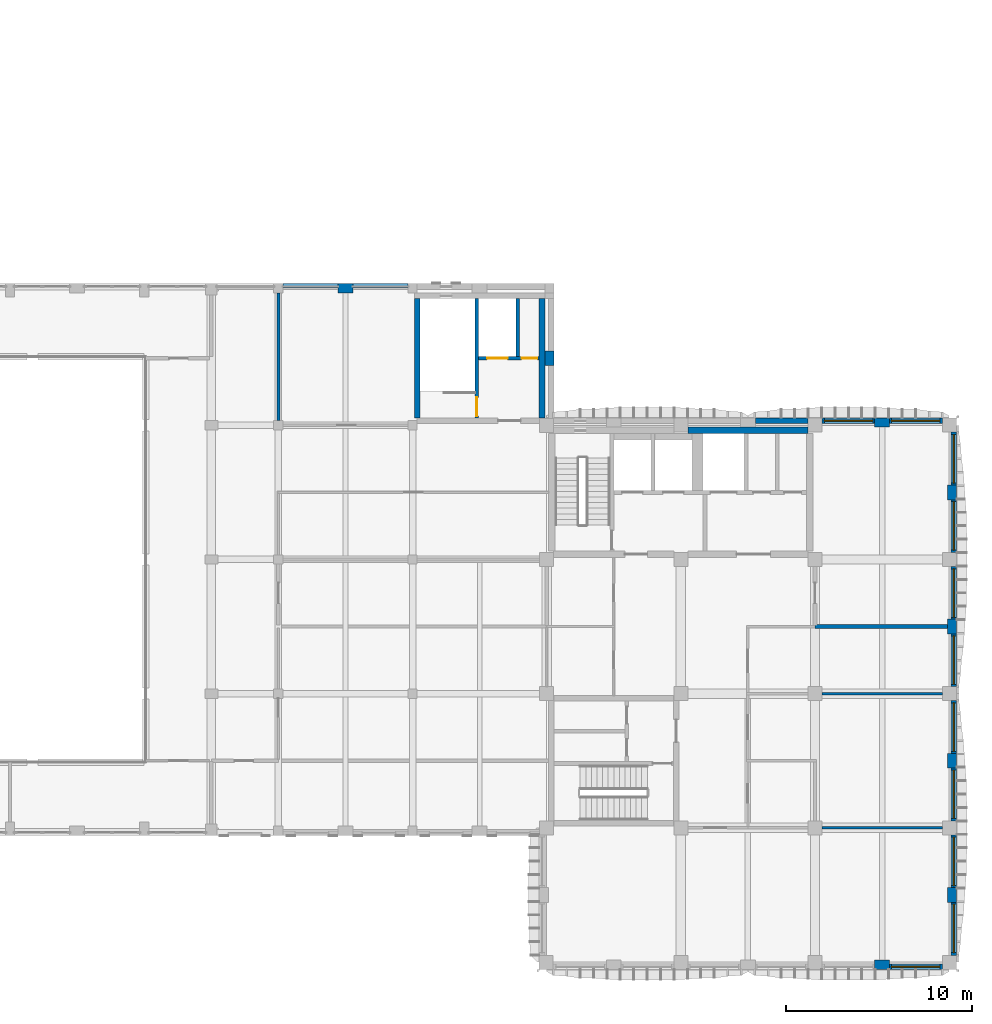
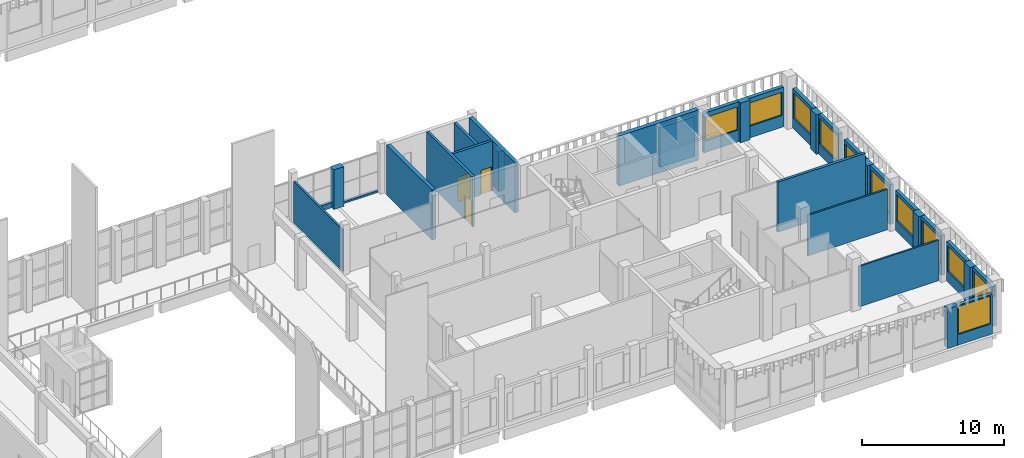
# One storey, part 22 of 54: 32 walls, 11 windows, 3 doors, 14 openings.
"""IFC4 building model written with IfcOpenShell, lengths in metres."""

from ifc_helpers import new_model, si_unit, direction, frame, frame_2d, origin, place, context, subcontext, project, spatial, rectangle, extrude, material, layer, layer_set, type_object, element, fill, save


model = new_model("IFC4")

# Units and contexts
model_context = context("Model", 3, precision=1e-05, world=origin(), true_north=direction((0.0, 1.0)))
body_context = subcontext(model_context, "Body", "Model", "MODEL_VIEW")
ifc_project = project(units=[si_unit("LENGTHUNIT", "METRE"), si_unit("AREAUNIT", "SQUARE_METRE"), si_unit("VOLUMEUNIT", "CUBIC_METRE"), si_unit("PLANEANGLEUNIT", "RADIAN"), si_unit("MASSUNIT", "GRAM", prefix="KILO")], contexts=[model_context])

# Site, building, storey
site_placement = place(None, origin())
site = spatial("IfcSite", under=ifc_project, at=site_placement, CompositionType="ELEMENT")
building_placement = place(site_placement, origin())
building = spatial("IfcBuilding", under=site, at=building_placement, Name="Ussher Court Research Institute", CompositionType="ELEMENT")
storey_placement = place(building_placement, frame((0.0, 0.0, 14.39990234375)))
storey = spatial("IfcBuildingStorey", under=building, at=storey_placement, Name="L03", CompositionType="ELEMENT", Elevation=14.39990234375)

# Wall, opening, window
ifc_material_1 = material(Name="Blockwork with cream render", Category="masonry")
ifc_layer_1 = layer(ifc_material_1, 0.300048828125)
ifc_layer_set_1 = layer_set([ifc_layer_1], Name="Blockwork with cream render")
wall_type_1 = type_object("IfcWallType", Name="External wall 300 cream render", PredefinedType="SOLIDWALL", material=ifc_layer_set_1)
wall_1_placement = place(storey_placement, frame((96.97509765625, 33.050048828125, 0.0), z_axis=(0.0, 0.0, 1.0), x_axis=(1.0, 0.0, 0.0)))
wall_1 = element("IfcWall", 1, at=wall_1_placement, inside=storey, type_object=wall_type_1, Name="External wall EW1 L03", PredefinedType="SOLIDWALL", context=body_context, shape_type="SweptSolid", body=[
    extrude(rectangle(XDim=2.824951171875, YDim=0.300048828125, at=frame_2d((1.41259765625, 0.0))), origin(), (0.0, 0.0, 1.0), 3.400146484375),
])
opening_1_placement = place(wall_1_placement, frame((0.125, 0.0, 1.0)))
opening_1 = element("IfcOpeningElement", 2, at=opening_1_placement, cuts=wall_1, Name="Opening W15", PredefinedType="OPENING", context=body_context, shape_type="SweptSolid", body=[
    extrude(rectangle(XDim=2.60009765625, YDim=2.0, at=frame_2d((1.300048828125, 1.0))), frame((0.0, 0.16015625, 0.0), z_axis=(0.0, -1.0, 0.0), x_axis=(1.0, 0.0, 0.0)), (0.0, 0.0, 1.0), 0.320068359375),
])
ifc_material_2 = material(Name="Bronze anodised aluminium with double glazing", Category="aluminium")
window_type_1 = type_object("IfcWindowType", Name="Service side laboratory window 2600x2000", PartitioningType="DOUBLE_PANEL_VERTICAL", PredefinedType="WINDOW", material=ifc_material_2)
window_1_placement = place(opening_1_placement, origin())
window_1 = element("IfcWindow", 3, at=window_1_placement, inside=storey, type_object=window_type_1, Name="Window W15 L03", OverallHeight=2.0, OverallWidth=2.60009765625, PartitioningType="SINGLE_PANEL", PredefinedType="WINDOW", context=body_context, shape_type="SweptSolid", body=[
    extrude(rectangle(XDim=2.60009765625, YDim=2.0, at=frame_2d((1.300048828125, 1.0))), frame((0.0, 0.030029296875, 0.0), z_axis=(0.0, -1.0, 0.0), x_axis=(1.0, 0.0, 0.0)), (0.0, 0.0, 1.0), 0.06005859375),
])
fill(opening_1, window_1)

wall_2_placement = place(storey_placement, frame((100.60009765625, 33.050048828125, 0.0), z_axis=(0.0, 0.0, 1.0), x_axis=(1.0, 0.0, 0.0)))
wall_2 = element("IfcWall", 4, at=wall_2_placement, inside=storey, type_object=wall_type_1, Name="External wall EW1 L03", PredefinedType="SOLIDWALL", context=body_context, shape_type="SweptSolid", body=[
    extrude(rectangle(XDim=2.849853515625, YDim=0.300048828125, at=frame_2d((1.4248046875, 0.0))), origin(), (0.0, 0.0, 1.0), 3.400146484375),
])
opening_2_placement = place(wall_2_placement, frame((0.10009765625, 0.0, 1.0)))
opening_2 = element("IfcOpeningElement", 5, at=opening_2_placement, cuts=wall_2, Name="Opening W15", PredefinedType="OPENING", context=body_context, shape_type="SweptSolid", body=[
    extrude(rectangle(XDim=2.60009765625, YDim=2.0, at=frame_2d((1.300048828125, 1.0))), frame((0.0, 0.16015625, 0.0), z_axis=(0.0, -1.0, 0.0), x_axis=(1.0, 0.0, 0.0)), (0.0, 0.0, 1.0), 0.320068359375),
])
window_2_placement = place(opening_2_placement, origin())
window_2 = element("IfcWindow", 6, at=window_2_placement, inside=storey, type_object=window_type_1, Name="Window W15 L03", OverallHeight=2.0, OverallWidth=2.60009765625, PartitioningType="SINGLE_PANEL", PredefinedType="WINDOW", context=body_context, shape_type="SweptSolid", body=[
    extrude(rectangle(XDim=2.60009765625, YDim=2.0, at=frame_2d((1.300048828125, 1.0))), frame((0.0, 0.030029296875, 0.0), z_axis=(0.0, -1.0, 0.0), x_axis=(1.0, 0.0, 0.0)), (0.0, 0.0, 1.0), 0.06005859375),
])
fill(opening_2, window_2)

wall_3_placement = place(storey_placement, frame((104.050048828125, 32.449951171875, 0.0), z_axis=(0.0, 0.0, 1.0), x_axis=(0.0, -1.0, 0.0)))
wall_3 = element("IfcWall", 7, at=wall_3_placement, inside=storey, type_object=wall_type_1, Name="External wall EW1 L03", PredefinedType="SOLIDWALL", context=body_context, shape_type="SweptSolid", body=[
    extrude(rectangle(XDim=2.849853515625, YDim=0.300048828125, at=frame_2d((1.4248046875, 0.0))), origin(), (0.0, 0.0, 1.0), 3.400146484375),
])
opening_3_placement = place(wall_3_placement, frame((0.14990234375, 0.0, 0.89990234375)))
opening_3 = element("IfcOpeningElement", 8, at=opening_3_placement, cuts=wall_3, Name="Opening W13", PredefinedType="OPENING", context=body_context, shape_type="SweptSolid", body=[
    extrude(rectangle(XDim=2.60009765625, YDim=2.199951171875, at=frame_2d((1.300048828125, 1.10009765625))), frame((0.0, 0.16015625, 0.0), z_axis=(0.0, -1.0, 0.0), x_axis=(1.0, 0.0, 0.0)), (0.0, 0.0, 1.0), 0.320068359375),
])
ifc_material_3 = material(Name="Bronze anodised aluminium with double glazing", Category="aluminium")
window_type_2 = type_object("IfcWindowType", Name="East laboratory window 2600x2200", PartitioningType="DOUBLE_PANEL_VERTICAL", PredefinedType="WINDOW", material=ifc_material_3)
window_3_placement = place(opening_3_placement, origin())
window_3 = element("IfcWindow", 9, at=window_3_placement, inside=storey, type_object=window_type_2, Name="Window W13 L03", OverallHeight=2.199951171875, OverallWidth=2.60009765625, PartitioningType="SINGLE_PANEL", PredefinedType="WINDOW", context=body_context, shape_type="SweptSolid", body=[
    extrude(rectangle(XDim=2.60009765625, YDim=2.199951171875, at=frame_2d((1.300048828125, 1.10009765625))), frame((0.0, 0.030029296875, 0.0), z_axis=(0.0, -1.0, 0.0), x_axis=(1.0, 0.0, 0.0)), (0.0, 0.0, 1.0), 0.06005859375),
])
fill(opening_3, window_3)

wall_4_placement = place(storey_placement, frame((104.050048828125, 28.800048828125, 0.0), z_axis=(0.0, 0.0, 1.0), x_axis=(0.0, -1.0, 0.0)))
wall_4 = element("IfcWall", 10, at=wall_4_placement, inside=storey, type_object=wall_type_1, Name="External wall EW1 L03", PredefinedType="SOLIDWALL", context=body_context, shape_type="SweptSolid", body=[
    extrude(rectangle(XDim=2.824951171875, YDim=0.300048828125, at=frame_2d((1.41259765625, 0.0))), origin(), (0.0, 0.0, 1.0), 3.400146484375),
])
opening_4_placement = place(wall_4_placement, frame((0.10009765625, 0.0, 0.89990234375)))
opening_4 = element("IfcOpeningElement", 11, at=opening_4_placement, cuts=wall_4, Name="Opening W13", PredefinedType="OPENING", context=body_context, shape_type="SweptSolid", body=[
    extrude(rectangle(XDim=2.60009765625, YDim=2.199951171875, at=frame_2d((1.300048828125, 1.10009765625))), frame((0.0, 0.16015625, 0.0), z_axis=(0.0, -1.0, 0.0), x_axis=(1.0, 0.0, 0.0)), (0.0, 0.0, 1.0), 0.320068359375),
])
window_4_placement = place(opening_4_placement, origin())
window_4 = element("IfcWindow", 12, at=window_4_placement, inside=storey, type_object=window_type_2, Name="Window W13 L03", OverallHeight=2.199951171875, OverallWidth=2.60009765625, PartitioningType="SINGLE_PANEL", PredefinedType="WINDOW", context=body_context, shape_type="SweptSolid", body=[
    extrude(rectangle(XDim=2.60009765625, YDim=2.199951171875, at=frame_2d((1.300048828125, 1.10009765625))), frame((0.0, 0.030029296875, 0.0), z_axis=(0.0, -1.0, 0.0), x_axis=(1.0, 0.0, 0.0)), (0.0, 0.0, 1.0), 0.06005859375),
])
fill(opening_4, window_4)

wall_5_placement = place(storey_placement, frame((104.050048828125, 25.22509765625, 0.0), z_axis=(0.0, 0.0, 1.0), x_axis=(0.0, -1.0, 0.0)))
wall_5 = element("IfcWall", 13, at=wall_5_placement, inside=storey, type_object=wall_type_1, Name="External wall EW1 L03", PredefinedType="SOLIDWALL", context=body_context, shape_type="SweptSolid", body=[
    extrude(rectangle(XDim=2.8251953125, YDim=0.300048828125, at=frame_2d((1.41259765625, 0.0))), origin(), (0.0, 0.0, 1.0), 3.400146484375),
])
opening_5_placement = place(wall_5_placement, frame((0.125, 0.0, 0.89990234375)))
opening_5 = element("IfcOpeningElement", 14, at=opening_5_placement, cuts=wall_5, Name="Opening W13", PredefinedType="OPENING", context=body_context, shape_type="SweptSolid", body=[
    extrude(rectangle(XDim=2.60009765625, YDim=2.199951171875, at=frame_2d((1.300048828125, 1.10009765625))), frame((0.0, 0.16015625, 0.0), z_axis=(0.0, -1.0, 0.0), x_axis=(1.0, 0.0, 0.0)), (0.0, 0.0, 1.0), 0.320068359375),
])
window_5_placement = place(opening_5_placement, origin())
window_5 = element("IfcWindow", 15, at=window_5_placement, inside=storey, type_object=window_type_2, Name="Window W13 L03", OverallHeight=2.199951171875, OverallWidth=2.60009765625, PartitioningType="SINGLE_PANEL", PredefinedType="WINDOW", context=body_context, shape_type="SweptSolid", body=[
    extrude(rectangle(XDim=2.60009765625, YDim=2.199951171875, at=frame_2d((1.300048828125, 1.10009765625))), frame((0.0, 0.030029296875, 0.0), z_axis=(0.0, -1.0, 0.0), x_axis=(1.0, 0.0, 0.0)), (0.0, 0.0, 1.0), 0.06005859375),
])
fill(opening_5, window_5)

wall_6_placement = place(storey_placement, frame((104.050048828125, 21.60009765625, 0.0), z_axis=(0.0, 0.0, 1.0), x_axis=(0.0, -1.0, 0.0)))
wall_6 = element("IfcWall", 16, at=wall_6_placement, inside=storey, type_object=wall_type_1, Name="External wall EW1 L03", PredefinedType="SOLIDWALL", context=body_context, shape_type="SweptSolid", body=[
    extrude(rectangle(XDim=2.8251953125, YDim=0.300048828125, at=frame_2d((1.41259765625, 0.0))), origin(), (0.0, 0.0, 1.0), 3.400146484375),
])
opening_6_placement = place(wall_6_placement, frame((0.10009765625, 0.0, 0.89990234375)))
opening_6 = element("IfcOpeningElement", 17, at=opening_6_placement, cuts=wall_6, Name="Opening W13", PredefinedType="OPENING", context=body_context, shape_type="SweptSolid", body=[
    extrude(rectangle(XDim=2.60009765625, YDim=2.199951171875, at=frame_2d((1.300048828125, 1.10009765625))), frame((0.0, 0.16015625, 0.0), z_axis=(0.0, -1.0, 0.0), x_axis=(1.0, 0.0, 0.0)), (0.0, 0.0, 1.0), 0.320068359375),
])
window_6_placement = place(opening_6_placement, origin())
window_6 = element("IfcWindow", 18, at=window_6_placement, inside=storey, type_object=window_type_2, Name="Window W13 L03", OverallHeight=2.199951171875, OverallWidth=2.60009765625, PartitioningType="SINGLE_PANEL", PredefinedType="WINDOW", context=body_context, shape_type="SweptSolid", body=[
    extrude(rectangle(XDim=2.60009765625, YDim=2.199951171875, at=frame_2d((1.300048828125, 1.10009765625))), frame((0.0, 0.030029296875, 0.0), z_axis=(0.0, -1.0, 0.0), x_axis=(1.0, 0.0, 0.0)), (0.0, 0.0, 1.0), 0.06005859375),
])
fill(opening_6, window_6)

wall_7_placement = place(storey_placement, frame((104.050048828125, 18.02490234375, 0.0), z_axis=(0.0, 0.0, 1.0), x_axis=(0.0, -1.0, 0.0)))
wall_7 = element("IfcWall", 19, at=wall_7_placement, inside=storey, type_object=wall_type_1, Name="External wall EW1 L03", PredefinedType="SOLIDWALL", context=body_context, shape_type="SweptSolid", body=[
    extrude(rectangle(XDim=2.824951171875, YDim=0.300048828125, at=frame_2d((1.41259765625, 0.0))), origin(), (0.0, 0.0, 1.0), 3.400146484375),
])
opening_7_placement = place(wall_7_placement, frame((0.125, 0.0, 0.89990234375)))
opening_7 = element("IfcOpeningElement", 20, at=opening_7_placement, cuts=wall_7, Name="Opening W13", PredefinedType="OPENING", context=body_context, shape_type="SweptSolid", body=[
    extrude(rectangle(XDim=2.60009765625, YDim=2.199951171875, at=frame_2d((1.300048828125, 1.10009765625))), frame((0.0, 0.16015625, 0.0), z_axis=(0.0, -1.0, 0.0), x_axis=(1.0, 0.0, 0.0)), (0.0, 0.0, 1.0), 0.320068359375),
])
window_7_placement = place(opening_7_placement, origin())
window_7 = element("IfcWindow", 21, at=window_7_placement, inside=storey, type_object=window_type_2, Name="Window W13 L03", OverallHeight=2.199951171875, OverallWidth=2.60009765625, PartitioningType="SINGLE_PANEL", PredefinedType="WINDOW", context=body_context, shape_type="SweptSolid", body=[
    extrude(rectangle(XDim=2.60009765625, YDim=2.199951171875, at=frame_2d((1.300048828125, 1.10009765625))), frame((0.0, 0.030029296875, 0.0), z_axis=(0.0, -1.0, 0.0), x_axis=(1.0, 0.0, 0.0)), (0.0, 0.0, 1.0), 0.06005859375),
])
fill(opening_7, window_7)

wall_8_placement = place(storey_placement, frame((104.050048828125, 14.39990234375, 0.0), z_axis=(0.0, 0.0, 1.0), x_axis=(0.0, -1.0, 0.0)))
wall_8 = element("IfcWall", 22, at=wall_8_placement, inside=storey, type_object=wall_type_1, Name="External wall EW1 L03", PredefinedType="SOLIDWALL", context=body_context, shape_type="SweptSolid", body=[
    extrude(rectangle(XDim=2.824951171875, YDim=0.300048828125, at=frame_2d((1.41259765625, 0.0))), origin(), (0.0, 0.0, 1.0), 3.400146484375),
])
opening_8_placement = place(wall_8_placement, frame((0.10009765625, 0.0, 0.89990234375)))
opening_8 = element("IfcOpeningElement", 23, at=opening_8_placement, cuts=wall_8, Name="Opening W13", PredefinedType="OPENING", context=body_context, shape_type="SweptSolid", body=[
    extrude(rectangle(XDim=2.60009765625, YDim=2.199951171875, at=frame_2d((1.300048828125, 1.10009765625))), frame((0.0, 0.16015625, 0.0), z_axis=(0.0, -1.0, 0.0), x_axis=(1.0, 0.0, 0.0)), (0.0, 0.0, 1.0), 0.320068359375),
])
window_8_placement = place(opening_8_placement, origin())
window_8 = element("IfcWindow", 24, at=window_8_placement, inside=storey, type_object=window_type_2, Name="Window W13 L03", OverallHeight=2.199951171875, OverallWidth=2.60009765625, PartitioningType="SINGLE_PANEL", PredefinedType="WINDOW", context=body_context, shape_type="SweptSolid", body=[
    extrude(rectangle(XDim=2.60009765625, YDim=2.199951171875, at=frame_2d((1.300048828125, 1.10009765625))), frame((0.0, 0.030029296875, 0.0), z_axis=(0.0, -1.0, 0.0), x_axis=(1.0, 0.0, 0.0)), (0.0, 0.0, 1.0), 0.06005859375),
])
fill(opening_8, window_8)

wall_9_placement = place(storey_placement, frame((104.050048828125, 10.824951171875, 0.0), z_axis=(0.0, 0.0, 1.0), x_axis=(0.0, -1.0, 0.0)))
wall_9 = element("IfcWall", 25, at=wall_9_placement, inside=storey, type_object=wall_type_1, Name="External wall EW1 L03", PredefinedType="SOLIDWALL", context=body_context, shape_type="SweptSolid", body=[
    extrude(rectangle(XDim=2.824951171875, YDim=0.300048828125, at=frame_2d((1.41259765625, 0.0))), origin(), (0.0, 0.0, 1.0), 3.400146484375),
])
opening_9_placement = place(wall_9_placement, frame((0.125, 0.0, 0.89990234375)))
opening_9 = element("IfcOpeningElement", 26, at=opening_9_placement, cuts=wall_9, Name="Opening W13", PredefinedType="OPENING", context=body_context, shape_type="SweptSolid", body=[
    extrude(rectangle(XDim=2.60009765625, YDim=2.199951171875, at=frame_2d((1.300048828125, 1.10009765625))), frame((0.0, 0.16015625, 0.0), z_axis=(0.0, -1.0, 0.0), x_axis=(1.0, 0.0, 0.0)), (0.0, 0.0, 1.0), 0.320068359375),
])
window_9_placement = place(opening_9_placement, origin())
window_9 = element("IfcWindow", 27, at=window_9_placement, inside=storey, type_object=window_type_2, Name="Window W13 L03", OverallHeight=2.199951171875, OverallWidth=2.60009765625, PartitioningType="SINGLE_PANEL", PredefinedType="WINDOW", context=body_context, shape_type="SweptSolid", body=[
    extrude(rectangle(XDim=2.60009765625, YDim=2.199951171875, at=frame_2d((1.300048828125, 1.10009765625))), frame((0.0, 0.030029296875, 0.0), z_axis=(0.0, -1.0, 0.0), x_axis=(1.0, 0.0, 0.0)), (0.0, 0.0, 1.0), 0.06005859375),
])
fill(opening_9, window_9)

wall_10_placement = place(storey_placement, frame((104.050048828125, 7.199951171875, 0.0), z_axis=(0.0, 0.0, 1.0), x_axis=(0.0, -1.0, 0.0)))
wall_10 = element("IfcWall", 28, at=wall_10_placement, inside=storey, type_object=wall_type_1, Name="External wall EW1 L03", PredefinedType="SOLIDWALL", context=body_context, shape_type="SweptSolid", body=[
    extrude(rectangle(XDim=2.849853515625, YDim=0.300048828125, at=frame_2d((1.4248046875, 0.0))), origin(), (0.0, 0.0, 1.0), 3.400146484375),
])
opening_10_placement = place(wall_10_placement, frame((0.10009765625, 0.0, 0.89990234375)))
opening_10 = element("IfcOpeningElement", 29, at=opening_10_placement, cuts=wall_10, Name="Opening W13", PredefinedType="OPENING", context=body_context, shape_type="SweptSolid", body=[
    extrude(rectangle(XDim=2.60009765625, YDim=2.199951171875, at=frame_2d((1.300048828125, 1.10009765625))), frame((0.0, 0.16015625, 0.0), z_axis=(0.0, -1.0, 0.0), x_axis=(1.0, 0.0, 0.0)), (0.0, 0.0, 1.0), 0.320068359375),
])
window_10_placement = place(opening_10_placement, origin())
window_10 = element("IfcWindow", 30, at=window_10_placement, inside=storey, type_object=window_type_2, Name="Window W13 L03", OverallHeight=2.199951171875, OverallWidth=2.60009765625, PartitioningType="SINGLE_PANEL", PredefinedType="WINDOW", context=body_context, shape_type="SweptSolid", body=[
    extrude(rectangle(XDim=2.60009765625, YDim=2.199951171875, at=frame_2d((1.300048828125, 1.10009765625))), frame((0.0, 0.030029296875, 0.0), z_axis=(0.0, -1.0, 0.0), x_axis=(1.0, 0.0, 0.0)), (0.0, 0.0, 1.0), 0.06005859375),
])
fill(opening_10, window_10)

wall_11_placement = place(storey_placement, frame((103.449951171875, 3.75, 0.0), z_axis=(0.0, 0.0, 1.0), x_axis=(-1.0, 0.0, 0.0)))
wall_11 = element("IfcWall", 31, at=wall_11_placement, inside=storey, type_object=wall_type_1, Name="External wall EW1 L03", PredefinedType="SOLIDWALL", context=body_context, shape_type="SweptSolid", body=[
    extrude(rectangle(XDim=2.849853515625, YDim=0.300048828125, at=frame_2d((1.4248046875, 0.0))), origin(), (0.0, 0.0, 1.0), 3.400146484375),
])
opening_11_placement = place(wall_11_placement, frame((0.14990234375, 0.0, 0.89990234375)))
opening_11 = element("IfcOpeningElement", 32, at=opening_11_placement, cuts=wall_11, Name="Opening W01", PredefinedType="OPENING", context=body_context, shape_type="SweptSolid", body=[
    extrude(rectangle(XDim=2.60009765625, YDim=2.39990234375, at=frame_2d((1.300048828125, 1.199951171875))), frame((0.0, 0.16015625, 0.0), z_axis=(0.0, -1.0, 0.0), x_axis=(1.0, 0.0, 0.0)), (0.0, 0.0, 1.0), 0.320068359375),
])
ifc_material_4 = material(Name="Bronze anodised aluminium with double glazing", Category="aluminium")
window_type_3 = type_object("IfcWindowType", Name="Laboratory bay window 2600x2400", PartitioningType="DOUBLE_PANEL_VERTICAL", PredefinedType="WINDOW", material=ifc_material_4)
window_11_placement = place(opening_11_placement, origin())
window_11 = element("IfcWindow", 33, at=window_11_placement, inside=storey, type_object=window_type_3, Name="Window W01 L03", OverallHeight=2.39990234375, OverallWidth=2.60009765625, PartitioningType="SINGLE_PANEL", PredefinedType="WINDOW", context=body_context, shape_type="SweptSolid", body=[
    extrude(rectangle(XDim=2.60009765625, YDim=2.39990234375, at=frame_2d((1.300048828125, 1.199951171875))), frame((0.0, 0.030029296875, 0.0), z_axis=(0.0, -1.0, 0.0), x_axis=(1.0, 0.0, 0.0)), (0.0, 0.0, 1.0), 0.06005859375),
])
fill(opening_11, window_11)

# Walls
ifc_material_5 = material(Name="Limestone facing on blockwork", Category="masonry")
ifc_layer_2 = layer(ifc_material_5, 0.300048828125)
ifc_layer_set_2 = layer_set([ifc_layer_2], Name="Limestone facing on blockwork")
wall_type_2 = type_object("IfcWallType", Name="External wall 300 stair enclosure", PredefinedType="SOLIDWALL", material=ifc_layer_set_2)
wall_12_placement = place(storey_placement, frame((93.39990234375, 33.050048828125, 0.0), z_axis=(0.0, 0.0, 1.0), x_axis=(1.0, 0.0, 0.0)))
element("IfcWall", 34, at=wall_12_placement, inside=storey, type_object=wall_type_2, Name="External wall EW5 L03", PredefinedType="SOLIDWALL", context=body_context, shape_type="SweptSolid", body=[
    extrude(rectangle(XDim=2.8251953125, YDim=0.300048828125, at=frame_2d((1.41259765625, 0.0))), origin(), (0.0, 0.0, 1.0), 3.400146484375),
])
ifc_material_6 = material(Name="Plastered blockwork", Category="masonry")
ifc_layer_3 = layer(ifc_material_6, 0.14990234375)
ifc_layer_set_3 = layer_set([ifc_layer_3], Name="Plastered blockwork")
wall_type_3 = type_object("IfcWallType", Name="Fire partition blockwork 150 EI 60", PredefinedType="PARTITIONING", material=ifc_layer_set_3)
wall_13_placement = place(storey_placement, frame((67.800048828125, 33.050048828125, 0.0), z_axis=(0.0, 0.0, 1.0), x_axis=(0.0, 1.0, 0.0)))
element("IfcWall", 35, at=wall_13_placement, inside=storey, type_object=wall_type_3, Name="Fire partition", PredefinedType="PARTITIONING", context=body_context, shape_type="SweptSolid", body=[
    extrude(rectangle(XDim=6.849853515625, YDim=0.14990234375, at=frame_2d((3.4248046875, 0.0))), origin(), (0.0, 0.0, 1.0), 3.570068359375),
])
ifc_material_7 = material(Name="Dense concrete blockwork", Category="masonry")
ifc_layer_4 = layer(ifc_material_7, 0.219970703125)
ifc_layer_set_4 = layer_set([ifc_layer_4], Name="Dense concrete blockwork")
wall_type_4 = type_object("IfcWallType", Name="Hazardous store dense block 220 EI 60", PredefinedType="PARTITIONING", material=ifc_layer_set_4)
wall_14_placement = place(storey_placement, frame((96.60009765625, 22.0, 0.0), z_axis=(0.0, 0.0, 1.0), x_axis=(1.0, 0.0, 0.0)))
element("IfcWall", 36, at=wall_14_placement, inside=storey, type_object=wall_type_4, Name="Fire partition", PredefinedType="PARTITIONING", context=body_context, shape_type="SweptSolid", body=[
    extrude(rectangle(XDim=7.099853515625, YDim=0.219970703125, at=frame_2d((3.5498046875, 0.0))), origin(), (0.0, 0.0, 1.0), 4.300048828125),
])
ifc_material_8 = material(Name="Plastered blockwork", Category="masonry")
ifc_layer_5 = layer(ifc_material_8, 0.139892578125)
ifc_layer_set_5 = layer_set([ifc_layer_5], Name="Plastered blockwork")
wall_type_5 = type_object("IfcWallType", Name="Laboratory blockwork partition 140", PredefinedType="PARTITIONING", material=ifc_layer_set_5)
for number, where, z_axis, x_axis, name in (
    (37, (96.97509765625, 11.199951171875, 0.0), (0.0, 0.0, 1.0), (1.0, 0.0, 0.0), "Partition"),
    (38, (96.97509765625, 18.39990234375, 0.0), (0.0, 0.0, 1.0), (1.0, 0.0, 0.0), "Partition"),
):
    element("IfcWall", number, at=place(storey_placement, frame(where, z_axis=z_axis, x_axis=x_axis)), inside=storey, type_object=wall_type_5, Name=name, PredefinedType="PARTITIONING", context=body_context, shape_type="SweptSolid", body=[
        extrude(rectangle(XDim=6.474853515625, YDim=0.139892578125, at=frame_2d((3.2373046875, 0.0))), origin(), (0.0, 0.0, 1.0), 3.47021484375),
    ])
ifc_material_9 = material(Name="Limestone facing on insulated blockwork", Category="masonry")
ifc_layer_6 = layer(ifc_material_9, 0.219970703125)
ifc_layer_set_6 = layer_set([ifc_layer_6], Name="Limestone facing on insulated blockwork")
wall_type_6 = type_object("IfcWallType", Name="Link wall 220 limestone faced insulated block", PredefinedType="SOLIDWALL", material=ifc_layer_set_6)
wall_15_placement = place(storey_placement, frame((68.050048828125, 40.2900390625, 0.0), z_axis=(0.0, 0.0, 1.0), x_axis=(1.0, 0.0, 0.0)))
element("IfcWall", 39, at=wall_15_placement, inside=storey, type_object=wall_type_6, Name="Plinth wall EW6 L03", PredefinedType="SOLIDWALL", context=body_context, shape_type="SweptSolid", body=[
    extrude(rectangle(XDim=2.949951171875, YDim=0.219970703125, at=frame_2d((1.47509765625, 0.0))), origin(), (0.0, 0.0, 1.0), 0.4501953125),
])
wall_16_placement = place(storey_placement, frame((71.800048828125, 40.2900390625, 0.0), z_axis=(0.0, 0.0, 1.0), x_axis=(1.0, 0.0, 0.0)))
element("IfcWall", 40, at=wall_16_placement, inside=storey, type_object=wall_type_6, Name="Plinth wall EW6 L03", PredefinedType="SOLIDWALL", context=body_context, shape_type="SweptSolid", body=[
    extrude(rectangle(XDim=2.949951171875, YDim=0.219970703125, at=frame_2d((1.47509765625, 0.0))), origin(), (0.0, 0.0, 1.0), 0.150146484375),
])
ifc_material_10 = material(Name="Blockwork with cream render", Category="masonry")
ifc_layer_7 = layer(ifc_material_10, 0.5)
ifc_layer_set_7 = layer_set([ifc_layer_7], Name="Blockwork with cream render")
wall_type_7 = type_object("IfcWallType", Name="Pier 800x500 cream render", PredefinedType="SOLIDWALL", material=ifc_layer_set_7)
for number, where, z_axis, x_axis, name in (
    (41, (99.800048828125, 32.949951171875, 0.0), (0.0, 0.0, 1.0), (1.0, 0.0, 0.0), "Pier PR1 L03"),
    (42, (103.949951171875, 29.60009765625, 0.0), (0.0, 0.0, 1.0), (0.0, -1.0, 0.0), "Pier PR1 L03"),
):
    element("IfcWall", number, at=place(storey_placement, frame(where, z_axis=z_axis, x_axis=x_axis)), inside=storey, type_object=wall_type_7, Name=name, PredefinedType="SOLIDWALL", context=body_context, shape_type="SweptSolid", body=[
        extrude(rectangle(XDim=0.800048828125, YDim=0.5, at=frame_2d((0.39990234375, 0.0))), origin(), (0.0, 0.0, 1.0), 3.400146484375),
    ])
wall_17_placement = place(storey_placement, frame((103.949951171875, 22.39990234375, 0.0), z_axis=(0.0, 0.0, 1.0), x_axis=(0.0, -1.0, 0.0)))
element("IfcWall", 43, at=wall_17_placement, inside=storey, type_object=wall_type_7, Name="Pier PR1 L03", PredefinedType="SOLIDWALL", context=body_context, shape_type="SweptSolid", body=[
    extrude(rectangle(XDim=0.7998046875, YDim=0.5, at=frame_2d((0.39990234375, 0.0))), origin(), (0.0, 0.0, 1.0), 3.400146484375),
])
for number, where, z_axis, x_axis, name in (
    (44, (103.949951171875, 15.199951171875, 0.0), (0.0, 0.0, 1.0), (0.0, -1.0, 0.0), "Pier PR1 L03"),
    (45, (103.949951171875, 8.0, 0.0), (0.0, 0.0, 1.0), (0.0, -1.0, 0.0), "Pier PR1 L03"),
    (46, (100.60009765625, 3.85009765625, 0.0), (0.0, 0.0, 1.0), (-1.0, 0.0, 0.0), "Pier PR1 L03"),
):
    element("IfcWall", number, at=place(storey_placement, frame(where, z_axis=z_axis, x_axis=x_axis)), inside=storey, type_object=wall_type_7, Name=name, PredefinedType="SOLIDWALL", context=body_context, shape_type="SweptSolid", body=[
        extrude(rectangle(XDim=0.800048828125, YDim=0.5, at=frame_2d((0.39990234375, 0.0))), origin(), (0.0, 0.0, 1.0), 3.400146484375),
    ])
ifc_material_11 = material(Name="Rusticated limestone facing on blockwork", Category="masonry")
ifc_layer_8 = layer(ifc_material_11, 0.5)
ifc_layer_set_8 = layer_set([ifc_layer_8], Name="Rusticated limestone facing on blockwork")
wall_type_8 = type_object("IfcWallType", Name="Pier 800x500 rusticated limestone", PredefinedType="SOLIDWALL", material=ifc_layer_set_8)
for number, where, z_axis, x_axis, name in (
    (47, (71.0, 40.14990234375, 0.0), (0.0, 0.0, 1.0), (1.0, 0.0, 0.0), "Pier PR2 L03"),
    (48, (82.35009765625, 36.800048828125, 0.0), (0.0, 0.0, 1.0), (0.0, -1.0, 0.0), "Pier PR2 L03"),
):
    element("IfcWall", number, at=place(storey_placement, frame(where, z_axis=z_axis, x_axis=x_axis)), inside=storey, type_object=wall_type_8, Name=name, PredefinedType="SOLIDWALL", context=body_context, shape_type="SweptSolid", body=[
        extrude(rectangle(XDim=0.800048828125, YDim=0.5, at=frame_2d((0.39990234375, 0.0))), origin(), (0.0, 0.0, 1.0), 3.400146484375),
    ])

# Wall, opening, door
ifc_material_12 = material(Name="Concrete C35/45", Category="concrete")
ifc_layer_9 = layer(ifc_material_12, 0.199951171875)
ifc_layer_set_9 = layer_set([ifc_layer_9], Name="Concrete C35/45")
wall_type_9 = type_object("IfcWallType", Name="RC core wall 200", PredefinedType="SHEAR", material=ifc_layer_set_9)
wall_18_placement = place(storey_placement, frame((78.449951171875, 33.199951171875, 0.0), z_axis=(0.0, 0.0, 1.0), x_axis=(0.0, 1.0, 0.0)))
wall_18 = element("IfcWall", 49, at=wall_18_placement, inside=storey, type_object=wall_type_9, Name="Core wall E1", PredefinedType="SHEAR", context=body_context, shape_type="SweptSolid", body=[
    extrude(rectangle(XDim=6.400146484375, YDim=0.199951171875, at=frame_2d((3.2001953125, 0.0))), origin(), (0.0, 0.0, 1.0), 4.300048828125),
])
opening_12_placement = place(wall_18_placement, frame((0.10009765625, 0.0, 0.0)))
opening_12 = element("IfcOpeningElement", 50, at=opening_12_placement, cuts=wall_18, Name="Opening D03038", PredefinedType="OPENING", context=body_context, shape_type="SweptSolid", body=[
    extrude(rectangle(XDim=1.0, YDim=2.10009765625, at=frame_2d((0.5, 1.050048828125))), frame((0.0, 0.10986328125, 0.0), z_axis=(0.0, -1.0, 0.0), x_axis=(1.0, 0.0, 0.0)), (0.0, 0.0, 1.0), 0.219970703125),
])
ifc_material_13 = material(Name="Painted steel faced fire door", Category="steel")
door_type_1 = type_object("IfcDoorType", Name="Fire door 1000x2100 FD60", OperationType="NOTDEFINED", PredefinedType="DOOR", material=ifc_material_13)
door_1_placement = place(opening_12_placement, origin())
door_1 = element("IfcDoor", 51, at=door_1_placement, inside=storey, type_object=door_type_1, Name="Door D03038", OperationType="SINGLE_SWING_LEFT", OverallHeight=2.10009765625, OverallWidth=1.0, PredefinedType="DOOR", context=body_context, shape_type="SweptSolid", body=[
    extrude(rectangle(XDim=1.0, YDim=2.10009765625, at=frame_2d((0.5, 1.050048828125))), frame((0.0, 0.02490234375, 0.0), z_axis=(0.0, -1.0, 0.0), x_axis=(1.0, 0.0, 0.0)), (0.0, 0.0, 1.0), 0.050048828125),
])
fill(opening_12, door_1)

# Wall, openings, doors
wall_19_placement = place(storey_placement, frame((81.800048828125, 36.39990234375, 0.0), z_axis=(0.0, 0.0, 1.0), x_axis=(-1.0, 0.0, 0.0)))
wall_19 = element("IfcWall", 52, at=wall_19_placement, inside=storey, type_object=wall_type_9, Name="Core wall E1", PredefinedType="SHEAR", context=body_context, shape_type="SweptSolid", body=[
    extrude(rectangle(XDim=3.25, YDim=0.199951171875, at=frame_2d((1.625, 0.0))), origin(), (0.0, 0.0, 1.0), 4.300048828125),
])
opening_13_placement = place(wall_19_placement, frame((1.699951171875, 0.0, 0.0)))
opening_13 = element("IfcOpeningElement", 53, at=opening_13_placement, cuts=wall_19, Name="Opening LD46", PredefinedType="OPENING", context=body_context, shape_type="SweptSolid", body=[
    extrude(rectangle(XDim=1.10009765625, YDim=2.10009765625, at=frame_2d((0.550048828125, 1.050048828125))), frame((0.0, 0.10986328125, 0.0), z_axis=(0.0, -1.0, 0.0), x_axis=(1.0, 0.0, 0.0)), (0.0, 0.0, 1.0), 0.219970703125),
])
opening_14_placement = place(wall_19_placement, frame((0.10009765625, 0.0, 0.0)))
opening_14 = element("IfcOpeningElement", 54, at=opening_14_placement, cuts=wall_19, Name="Opening D03045", PredefinedType="OPENING", context=body_context, shape_type="SweptSolid", body=[
    extrude(rectangle(XDim=0.85009765625, YDim=2.10009765625, at=frame_2d((0.425048828125, 1.050048828125))), frame((0.0, 0.10986328125, 0.0), z_axis=(0.0, -1.0, 0.0), x_axis=(1.0, 0.0, 0.0)), (0.0, 0.0, 1.0), 0.219970703125),
])
ifc_material_14 = material(Name="Painted steel faced fire door", Category="steel")
door_type_2 = type_object("IfcDoorType", Name="Fire door 850x2100 FD60", OperationType="NOTDEFINED", PredefinedType="DOOR", material=ifc_material_14)
door_2_placement = place(opening_14_placement, origin())
door_2 = element("IfcDoor", 55, at=door_2_placement, inside=storey, type_object=door_type_2, Name="Door D03045", OperationType="SINGLE_SWING_LEFT", OverallHeight=2.10009765625, OverallWidth=0.85009765625, PredefinedType="DOOR", context=body_context, shape_type="SweptSolid", body=[
    extrude(rectangle(XDim=0.85009765625, YDim=2.10009765625, at=frame_2d((0.425048828125, 1.050048828125))), frame((0.0, 0.02490234375, 0.0), z_axis=(0.0, -1.0, 0.0), x_axis=(1.0, 0.0, 0.0)), (0.0, 0.0, 1.0), 0.050048828125),
])
fill(opening_14, door_2)
ifc_material_15 = material(Name="Stainless steel lift door", Category="steel")
door_type_3 = type_object("IfcDoorType", Name="Lift landing door 1100x2100 sliding", OperationType="DOUBLE_DOOR_SLIDING", PredefinedType="DOOR", material=ifc_material_15)
door_3_placement = place(opening_13_placement, origin())
door_3 = element("IfcDoor", 56, at=door_3_placement, inside=storey, type_object=door_type_3, Name="Landing door E1-1 L03", OperationType="DOUBLE_DOOR_SLIDING", OverallHeight=2.10009765625, OverallWidth=1.10009765625, PredefinedType="DOOR", context=body_context, shape_type="SweptSolid", body=[
    extrude(rectangle(XDim=1.10009765625, YDim=2.10009765625, at=frame_2d((0.550048828125, 1.050048828125))), frame((0.0, 0.02490234375, 0.0), z_axis=(0.0, -1.0, 0.0), x_axis=(1.0, 0.0, 0.0)), (0.0, 0.0, 1.0), 0.050048828125),
])
fill(opening_13, door_3)

# Walls
wall_20_placement = place(storey_placement, frame((80.64990234375, 36.5, 0.0), z_axis=(0.0, 0.0, 1.0), x_axis=(0.0, 1.0, 0.0)))
element("IfcWall", 57, at=wall_20_placement, inside=storey, type_object=wall_type_9, Name="Core wall E1", PredefinedType="SHEAR", context=body_context, shape_type="SweptSolid", body=[
    extrude(rectangle(XDim=3.10009765625, YDim=0.199951171875, at=frame_2d((1.550048828125, 0.0))), origin(), (0.0, 0.0, 1.0), 4.300048828125),
])
ifc_material_16 = material(Name="Concrete C35/45", Category="concrete")
ifc_layer_10 = layer(ifc_material_16, 0.300048828125)
ifc_layer_set_10 = layer_set([ifc_layer_10], Name="Concrete C35/45")
wall_type_10 = type_object("IfcWallType", Name="RC core wall 300", PredefinedType="SHEAR", material=ifc_layer_set_10)
for number, where, z_axis, x_axis, name in (
    (58, (75.25, 33.199951171875, 0.0), (0.0, 0.0, 1.0), (0.0, 1.0, 0.0), "Core wall E1"),
    (59, (81.949951171875, 33.199951171875, 0.0), (0.0, 0.0, 1.0), (0.0, 1.0, 0.0), "Core wall E1"),
):
    element("IfcWall", number, at=place(storey_placement, frame(where, z_axis=z_axis, x_axis=x_axis)), inside=storey, type_object=wall_type_10, Name=name, PredefinedType="SHEAR", context=body_context, shape_type="SweptSolid", body=[
        extrude(rectangle(XDim=6.400146484375, YDim=0.300048828125, at=frame_2d((3.2001953125, 0.0))), origin(), (0.0, 0.0, 1.0), 4.300048828125),
    ])
ifc_material_17 = material(Name="Concrete C35/45", Category="concrete")
ifc_layer_11 = layer(ifc_material_17, 0.35009765625)
ifc_layer_set_11 = layer_set([ifc_layer_11], Name="Concrete C35/45")
wall_type_11 = type_object("IfcWallType", Name="RC core wall 350", PredefinedType="SHEAR", material=ifc_layer_set_11)
wall_21_placement = place(storey_placement, frame((89.77490234375, 32.52490234375, 0.0), z_axis=(0.0, 0.0, 1.0), x_axis=(1.0, 0.0, 0.0)))
element("IfcWall", 60, at=wall_21_placement, inside=storey, type_object=wall_type_11, Name="Core wall T1", PredefinedType="SHEAR", context=body_context, shape_type="SweptSolid", body=[
    extrude(rectangle(XDim=6.4501953125, YDim=0.35009765625, at=frame_2d((3.22509765625, 0.0))), origin(), (0.0, 0.0, 1.0), 4.300048828125),
])

save(model, "model.ifc")
